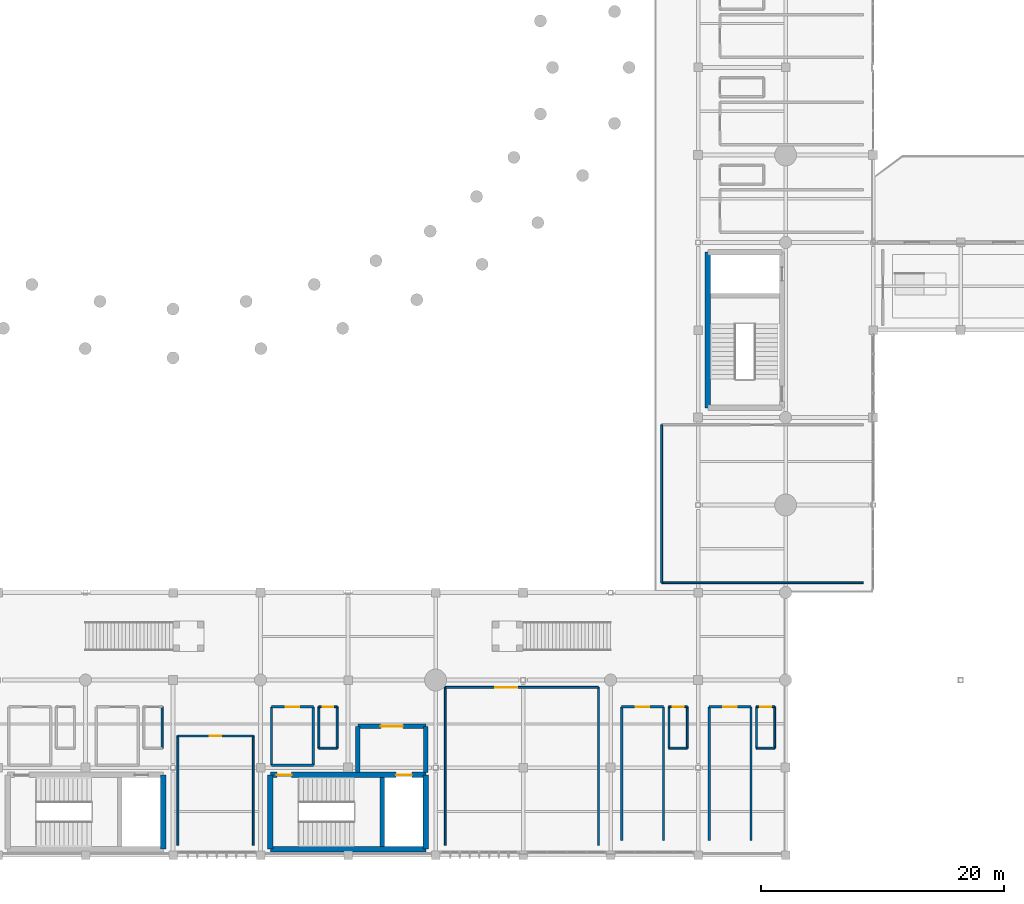
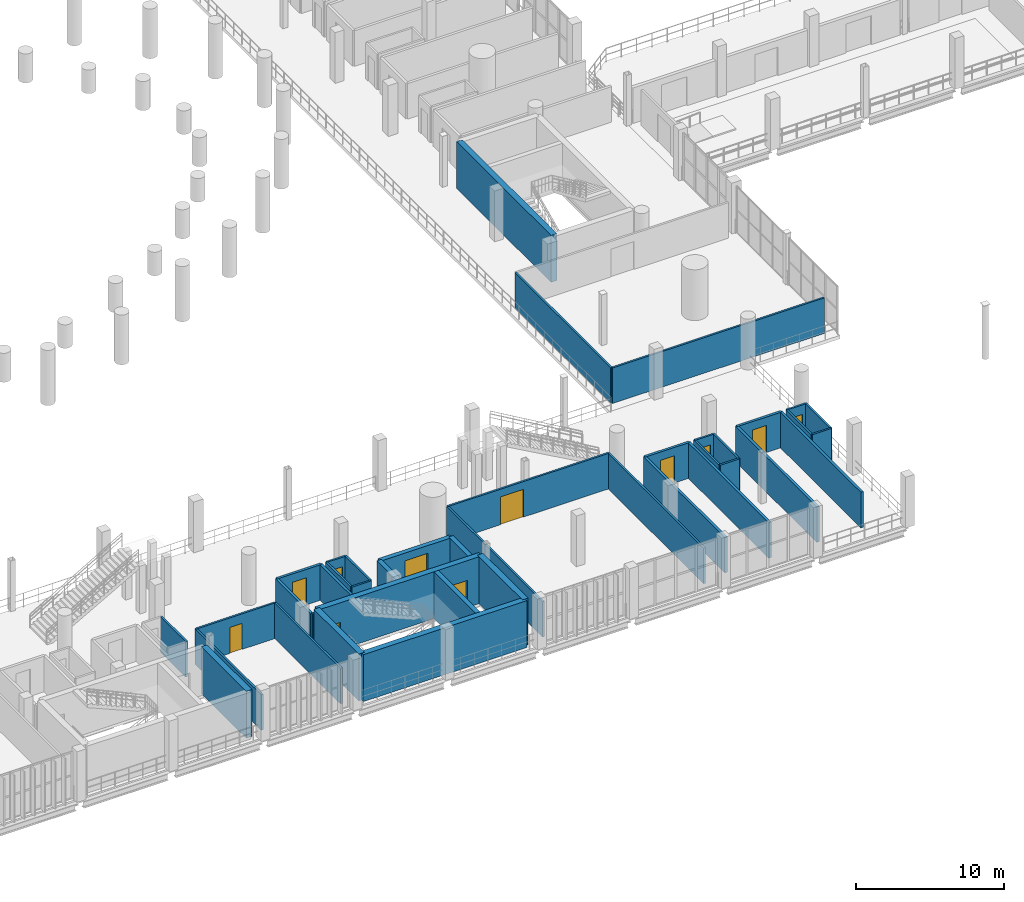
# One storey, part 104 of 130: 41 walls, 11 doors, 11 openings.
"""IFC4 building model written with IfcOpenShell, lengths in metres."""

from ifc_helpers import new_model, si_unit, direction, frame, frame_2d, origin, place, context, subcontext, project, spatial, rectangle, extrude, material, layer, layer_set, type_object, element, fill, save


model = new_model("IFC4")

# Units and contexts
model_context = context("Model", 3, precision=1e-05, world=origin(), true_north=direction((0.0, 1.0)))
body_context = subcontext(model_context, "Body", "Model", "MODEL_VIEW")
ifc_project = project(units=[si_unit("LENGTHUNIT", "METRE"), si_unit("AREAUNIT", "SQUARE_METRE"), si_unit("VOLUMEUNIT", "CUBIC_METRE"), si_unit("PLANEANGLEUNIT", "RADIAN"), si_unit("MASSUNIT", "GRAM", prefix="KILO")], contexts=[model_context])

# Site, building, storey
site_placement = place(None, origin())
site = spatial("IfcSite", under=ifc_project, at=site_placement, CompositionType="ELEMENT")
building_placement = place(site_placement, origin())
building = spatial("IfcBuilding", under=site, at=building_placement, Name="Qandorah Velis Arena", CompositionType="ELEMENT")
storey_placement = place(building_placement, frame((0.0, 0.0, 9.60009765625)))
storey = spatial("IfcBuildingStorey", under=building, at=storey_placement, Name="L02", CompositionType="ELEMENT", Elevation=9.60009765625)

# Walls
ifc_material_1 = material(Name="Concrete C35/45", Category="concrete")
ifc_layer_1 = layer(ifc_material_1, 0.199951171875)
ifc_layer_set_1 = layer_set([ifc_layer_1], Name="Concrete C35/45")
wall_type_1 = type_object("IfcWallType", Name="ARC-WAL-FD60-200", PredefinedType="PARTITIONING", material=ifc_layer_set_1)
wall_1_placement = place(storey_placement, frame((72.89990234375, 7.39990234375, 0.0), z_axis=(0.0, 0.0, 1.0), x_axis=(1.0, 0.0, 0.0)))
element("IfcWall", 1, at=wall_1_placement, inside=storey, type_object=wall_type_1, Name="Interior partition L02-HS-14 (S)", PredefinedType="PARTITIONING", context=body_context, shape_type="SweptSolid", body=[
    extrude(rectangle(XDim=3.4501953125, YDim=0.199951171875, at=frame_2d((1.72509765625, 0.0))), origin(), (0.0, 0.0, 1.0), 2.93994140625),
])
wall_2_placement = place(storey_placement, frame((76.35009765625, 7.39990234375, 0.0), z_axis=(0.0, 0.0, 1.0), x_axis=(0.0, 1.0, 0.0)))
element("IfcWall", 2, at=wall_2_placement, inside=storey, type_object=wall_type_1, Name="Interior partition L02-HS-14 (E)", PredefinedType="PARTITIONING", context=body_context, shape_type="SweptSolid", body=[
    extrude(rectangle(XDim=4.800048828125, YDim=0.199951171875, at=frame_2d((2.39990234375, 0.0))), origin(), (0.0, 0.0, 1.0), 2.93994140625),
])

# Wall, opening, door
wall_3_placement = place(storey_placement, frame((76.35009765625, 12.199951171875, 0.0), z_axis=(0.0, 0.0, 1.0), x_axis=(-1.0, 0.0, 0.0)))
wall_3 = element("IfcWall", 3, at=wall_3_placement, inside=storey, type_object=wall_type_1, Name="Interior partition L02-HS-14 (N)", PredefinedType="PARTITIONING", context=body_context, shape_type="SweptSolid", body=[
    extrude(rectangle(XDim=3.4501953125, YDim=0.199951171875, at=frame_2d((1.72509765625, 0.0))), origin(), (0.0, 0.0, 1.0), 2.93994140625),
])
opening_1_placement = place(wall_3_placement, frame((1.175048828125, 0.0, 0.0)))
opening_1 = element("IfcOpeningElement", 4, at=opening_1_placement, cuts=wall_3, Name="Opening D7", PredefinedType="OPENING", context=body_context, shape_type="SweptSolid", body=[
    extrude(rectangle(XDim=1.10009765625, YDim=2.25, at=frame_2d((0.550048828125, 1.125))), frame((0.0, 0.10986328125, 0.0), z_axis=(0.0, -1.0, 0.0), x_axis=(1.0, 0.0, 0.0)), (0.0, 0.0, 1.0), 0.219970703125),
])
ifc_material_2 = material(Name="Hospitality suite acoustic walnut door")
door_type_1 = type_object("IfcDoorType", Name="ARC-DR-INT1100", OperationType="NOTDEFINED", PredefinedType="DOOR", material=ifc_material_2)
door_1_placement = place(opening_1_placement, origin())
door_1 = element("IfcDoor", 5, at=door_1_placement, inside=storey, type_object=door_type_1, Name="Door L02-HS-14", OperationType="SINGLE_SWING_LEFT", OverallHeight=2.25, OverallWidth=1.10009765625, PredefinedType="DOOR", context=body_context, shape_type="SweptSolid", body=[
    extrude(rectangle(XDim=1.10009765625, YDim=2.25, at=frame_2d((0.550048828125, 1.125))), frame((0.0, 0.02490234375, 0.0), z_axis=(0.0, -1.0, 0.0), x_axis=(1.0, 0.0, 0.0)), (0.0, 0.0, 1.0), 0.050048828125),
])
fill(opening_1, door_1)

# Walls
wall_4_placement = place(storey_placement, frame((72.89990234375, 12.199951171875, 0.0), z_axis=(0.0, 0.0, 1.0), x_axis=(0.0, -1.0, 0.0)))
element("IfcWall", 6, at=wall_4_placement, inside=storey, type_object=wall_type_1, Name="Interior partition L02-HS-14 (W)", PredefinedType="PARTITIONING", context=body_context, shape_type="SweptSolid", body=[
    extrude(rectangle(XDim=4.800048828125, YDim=0.199951171875, at=frame_2d((2.39990234375, 0.0))), origin(), (0.0, 0.0, 1.0), 2.93994140625),
])
wall_5_placement = place(storey_placement, frame((105.14990234375, 1.199951171875, 0.0), z_axis=(0.0, 0.0, 1.0), x_axis=(0.0, 1.0, 0.0)))
element("IfcWall", 7, at=wall_5_placement, inside=storey, type_object=wall_type_1, Name="Interior partition L02-HS-15 (E)", PredefinedType="PARTITIONING", context=body_context, shape_type="SweptSolid", body=[
    extrude(rectangle(XDim=11.0, YDim=0.199951171875, at=frame_2d((5.5, 0.0))), origin(), (0.0, 0.0, 1.0), 2.93994140625),
])

# Wall, opening, door
wall_6_placement = place(storey_placement, frame((105.14990234375, 12.199951171875, 0.0), z_axis=(0.0, 0.0, 1.0), x_axis=(-1.0, 0.0, 0.0)))
wall_6 = element("IfcWall", 8, at=wall_6_placement, inside=storey, type_object=wall_type_1, Name="Interior partition L02-HS-15 (N)", PredefinedType="PARTITIONING", context=body_context, shape_type="SweptSolid", body=[
    extrude(rectangle(XDim=3.449951171875, YDim=0.199951171875, at=frame_2d((1.72509765625, 0.0))), origin(), (0.0, 0.0, 1.0), 2.93994140625),
])
opening_2_placement = place(wall_6_placement, frame((1.175048828125, 0.0, 0.0)))
opening_2 = element("IfcOpeningElement", 9, at=opening_2_placement, cuts=wall_6, Name="Opening D7", PredefinedType="OPENING", context=body_context, shape_type="SweptSolid", body=[
    extrude(rectangle(XDim=1.10009765625, YDim=2.25, at=frame_2d((0.550048828125, 1.125))), frame((0.0, 0.10986328125, 0.0), z_axis=(0.0, -1.0, 0.0), x_axis=(1.0, 0.0, 0.0)), (0.0, 0.0, 1.0), 0.219970703125),
])
door_2_placement = place(opening_2_placement, origin())
door_2 = element("IfcDoor", 10, at=door_2_placement, inside=storey, type_object=door_type_1, Name="Door L02-HS-15", OperationType="SINGLE_SWING_LEFT", OverallHeight=2.25, OverallWidth=1.10009765625, PredefinedType="DOOR", context=body_context, shape_type="SweptSolid", body=[
    extrude(rectangle(XDim=1.10009765625, YDim=2.25, at=frame_2d((0.550048828125, 1.125))), frame((0.0, 0.02490234375, 0.0), z_axis=(0.0, -1.0, 0.0), x_axis=(1.0, 0.0, 0.0)), (0.0, 0.0, 1.0), 0.050048828125),
])
fill(opening_2, door_2)

# Walls
for number, where, z_axis, x_axis, name in (
    (11, (101.699951171875, 12.199951171875, 0.0), (0.0, 0.0, 1.0), (0.0, -1.0, 0.0), "Interior partition L02-HS-15 (W)"),
    (12, (112.35009765625, 1.199951171875, 0.0), (0.0, 0.0, 1.0), (0.0, 1.0, 0.0), "Interior partition L02-HS-16 (E)"),
):
    element("IfcWall", number, at=place(storey_placement, frame(where, z_axis=z_axis, x_axis=x_axis)), inside=storey, type_object=wall_type_1, Name=name, PredefinedType="PARTITIONING", context=body_context, shape_type="SweptSolid", body=[
        extrude(rectangle(XDim=11.0, YDim=0.199951171875, at=frame_2d((5.5, 0.0))), origin(), (0.0, 0.0, 1.0), 2.93994140625),
    ])

# Wall, opening, door
wall_7_placement = place(storey_placement, frame((112.35009765625, 12.199951171875, 0.0), z_axis=(0.0, 0.0, 1.0), x_axis=(-1.0, 0.0, 0.0)))
wall_7 = element("IfcWall", 13, at=wall_7_placement, inside=storey, type_object=wall_type_1, Name="Interior partition L02-HS-16 (N)", PredefinedType="PARTITIONING", context=body_context, shape_type="SweptSolid", body=[
    extrude(rectangle(XDim=3.4501953125, YDim=0.199951171875, at=frame_2d((1.72509765625, 0.0))), origin(), (0.0, 0.0, 1.0), 2.93994140625),
])
opening_3_placement = place(wall_7_placement, frame((1.175048828125, 0.0, 0.0)))
opening_3 = element("IfcOpeningElement", 14, at=opening_3_placement, cuts=wall_7, Name="Opening D7", PredefinedType="OPENING", context=body_context, shape_type="SweptSolid", body=[
    extrude(rectangle(XDim=1.10009765625, YDim=2.25, at=frame_2d((0.550048828125, 1.125))), frame((0.0, 0.10986328125, 0.0), z_axis=(0.0, -1.0, 0.0), x_axis=(1.0, 0.0, 0.0)), (0.0, 0.0, 1.0), 0.219970703125),
])
door_3_placement = place(opening_3_placement, origin())
door_3 = element("IfcDoor", 15, at=door_3_placement, inside=storey, type_object=door_type_1, Name="Door L02-HS-16", OperationType="SINGLE_SWING_LEFT", OverallHeight=2.25, OverallWidth=1.10009765625, PredefinedType="DOOR", context=body_context, shape_type="SweptSolid", body=[
    extrude(rectangle(XDim=1.10009765625, YDim=2.25, at=frame_2d((0.550048828125, 1.125))), frame((0.0, 0.02490234375, 0.0), z_axis=(0.0, -1.0, 0.0), x_axis=(1.0, 0.0, 0.0)), (0.0, 0.0, 1.0), 0.050048828125),
])
fill(opening_3, door_3)

# Walls
wall_8_placement = place(storey_placement, frame((108.89990234375, 12.199951171875, 0.0), z_axis=(0.0, 0.0, 1.0), x_axis=(0.0, -1.0, 0.0)))
element("IfcWall", 16, at=wall_8_placement, inside=storey, type_object=wall_type_1, Name="Interior partition L02-HS-16 (W)", PredefinedType="PARTITIONING", context=body_context, shape_type="SweptSolid", body=[
    extrude(rectangle(XDim=11.0, YDim=0.199951171875, at=frame_2d((5.5, 0.0))), origin(), (0.0, 0.0, 1.0), 2.93994140625),
])
ifc_layer_2 = layer(ifc_material_1, 0.14990234375)
ifc_layer_set_2 = layer_set([ifc_layer_2], Name="Concrete C35/45")
wall_type_2 = type_object("IfcWallType", Name="ARC-WAL-PART150", PredefinedType="PARTITIONING", material=ifc_layer_set_2)
wall_9_placement = place(storey_placement, frame((105.0, 22.39990234375, 0.0), z_axis=(0.0, 0.0, 1.0), x_axis=(1.0, 0.0, 0.0)))
element("IfcWall", 17, at=wall_9_placement, inside=storey, type_object=wall_type_2, Name="Interior partition L02-SOMM-LNG (S)", PredefinedType="PARTITIONING", context=body_context, shape_type="SweptSolid", body=[
    extrude(rectangle(XDim=16.60009765625, YDim=0.14990234375, at=frame_2d((8.300048828125, 0.0))), origin(), (0.0, 0.0, 1.0), 2.93994140625),
])
for number, where, z_axis, x_axis, name in (
    (18, (105.0, 35.39990234375, 0.0), (0.0, 0.0, 1.0), (0.0, -1.0, 0.0), "Interior partition L02-SOMM-LNG (W)"),
    (19, (99.800048828125, 0.800048828125, 0.0), (0.0, 0.0, 1.0), (0.0, 1.0, 0.0), "Interior partition L02-VIP-SE-SAL (E)"),
):
    element("IfcWall", number, at=place(storey_placement, frame(where, z_axis=z_axis, x_axis=x_axis)), inside=storey, type_object=wall_type_2, Name=name, PredefinedType="PARTITIONING", context=body_context, shape_type="SweptSolid", body=[
        extrude(rectangle(XDim=13.0, YDim=0.14990234375, at=frame_2d((6.5, 0.0))), origin(), (0.0, 0.0, 1.0), 2.93994140625),
    ])

# Wall, opening, door
wall_10_placement = place(storey_placement, frame((99.800048828125, 13.800048828125, 0.0), z_axis=(0.0, 0.0, 1.0), x_axis=(-1.0, 0.0, 0.0)))
wall_10 = element("IfcWall", 20, at=wall_10_placement, inside=storey, type_object=wall_type_2, Name="Interior partition L02-VIP-SE-SAL (N)", PredefinedType="PARTITIONING", context=body_context, shape_type="SweptSolid", body=[
    extrude(rectangle(XDim=12.60009765625, YDim=0.14990234375, at=frame_2d((6.300048828125, 0.0))), origin(), (0.0, 0.0, 1.0), 2.93994140625),
])
opening_4_placement = place(wall_10_placement, frame((6.699951171875, 0.0, 0.0)))
opening_4 = element("IfcOpeningElement", 21, at=opening_4_placement, cuts=wall_10, Name="Opening D3", PredefinedType="OPENING", context=body_context, shape_type="SweptSolid", body=[
    extrude(rectangle(XDim=1.800048828125, YDim=2.300048828125, at=frame_2d((0.89990234375, 1.14990234375))), frame((0.0, 0.0849609375, 0.0), z_axis=(0.0, -1.0, 0.0), x_axis=(1.0, 0.0, 0.0)), (0.0, 0.0, 1.0), 0.169921875),
])
ifc_material_3 = material(Name="Double-leaf acoustic timber door", Category="wood")
door_type_2 = type_object("IfcDoorType", Name="ARC-DR-DBL1800", OperationType="NOTDEFINED", PredefinedType="DOOR", material=ifc_material_3)
door_4_placement = place(opening_4_placement, frame((1.800048828125, 0.0, 0.0), z_axis=(0.0, 0.0, 1.0), x_axis=(-1.0, 0.0, 0.0)))
door_4 = element("IfcDoor", 22, at=door_4_placement, inside=storey, type_object=door_type_2, Name="Door L02-VIP-SE-SAL", OperationType="DOUBLE_DOOR_SINGLE_SWING", OverallHeight=2.300048828125, OverallWidth=1.800048828125, PredefinedType="DOOR", context=body_context, shape_type="SweptSolid", body=[
    extrude(rectangle(XDim=1.800048828125, YDim=2.300048828125, at=frame_2d((0.89990234375, 1.14990234375))), frame((0.0, 0.02490234375, 0.0), z_axis=(0.0, -1.0, 0.0), x_axis=(1.0, 0.0, 0.0)), (0.0, 0.0, 1.0), 0.050048828125),
])
fill(opening_4, door_4)

# Walls
wall_11_placement = place(storey_placement, frame((87.199951171875, 13.800048828125, 0.0), z_axis=(0.0, 0.0, 1.0), x_axis=(0.0, -1.0, 0.0)))
element("IfcWall", 23, at=wall_11_placement, inside=storey, type_object=wall_type_2, Name="Interior partition L02-VIP-SE-SAL (W)", PredefinedType="PARTITIONING", context=body_context, shape_type="SweptSolid", body=[
    extrude(rectangle(XDim=13.0, YDim=0.14990234375, at=frame_2d((6.5, 0.0))), origin(), (0.0, 0.0, 1.0), 2.93994140625),
])
wall_12_placement = place(storey_placement, frame((71.39990234375, 0.800048828125, 0.0), z_axis=(0.0, 0.0, 1.0), x_axis=(0.0, 1.0, 0.0)))
element("IfcWall", 24, at=wall_12_placement, inside=storey, type_object=wall_type_2, Name="Interior partition L02-L02-FWC1 (E)", PredefinedType="PARTITIONING", context=body_context, shape_type="SweptSolid", body=[
    extrude(rectangle(XDim=9.0, YDim=0.14990234375, at=frame_2d((4.5, 0.0))), origin(), (0.0, 0.0, 1.0), 2.93994140625),
])

# Wall, opening, door
wall_13_placement = place(storey_placement, frame((71.39990234375, 9.800048828125, 0.0), z_axis=(0.0, 0.0, 1.0), x_axis=(-1.0, 0.0, 0.0)))
wall_13 = element("IfcWall", 25, at=wall_13_placement, inside=storey, type_object=wall_type_2, Name="Interior partition L02-L02-FWC1 (N)", PredefinedType="PARTITIONING", context=body_context, shape_type="SweptSolid", body=[
    extrude(rectangle(XDim=6.199951171875, YDim=0.14990234375, at=frame_2d((3.10009765625, 0.0))), origin(), (0.0, 0.0, 1.0), 2.93994140625),
])
opening_5_placement = place(wall_13_placement, frame((2.625, 0.0, 0.0)))
opening_5 = element("IfcOpeningElement", 26, at=opening_5_placement, cuts=wall_13, Name="Opening D4", PredefinedType="OPENING", context=body_context, shape_type="SweptSolid", body=[
    extrude(rectangle(XDim=0.949951171875, YDim=2.14990234375, at=frame_2d((0.47509765625, 1.074951171875))), frame((0.0, 0.0849609375, 0.0), z_axis=(0.0, -1.0, 0.0), x_axis=(1.0, 0.0, 0.0)), (0.0, 0.0, 1.0), 0.169921875),
])
ifc_material_4 = material(Name="Moisture-resistant laminate door")
door_type_3 = type_object("IfcDoorType", Name="ARC-DR-WC950", OperationType="NOTDEFINED", PredefinedType="DOOR", material=ifc_material_4)
door_5_placement = place(opening_5_placement, frame((0.949951171875, 0.0, 0.0), z_axis=(0.0, 0.0, 1.0), x_axis=(-1.0, 0.0, 0.0)))
door_5 = element("IfcDoor", 27, at=door_5_placement, inside=storey, type_object=door_type_3, Name="Door L02-L02-FWC1", OperationType="SINGLE_SWING_RIGHT", OverallHeight=2.14990234375, OverallWidth=0.949951171875, PredefinedType="DOOR", context=body_context, shape_type="SweptSolid", body=[
    extrude(rectangle(XDim=0.949951171875, YDim=2.14990234375, at=frame_2d((0.47509765625, 1.074951171875))), frame((0.0, 0.02490234375, 0.0), z_axis=(0.0, -1.0, 0.0), x_axis=(1.0, 0.0, 0.0)), (0.0, 0.0, 1.0), 0.050048828125),
])
fill(opening_5, door_5)

# Walls
wall_14_placement = place(storey_placement, frame((65.199951171875, 9.800048828125, 0.0), z_axis=(0.0, 0.0, 1.0), x_axis=(0.0, -1.0, 0.0)))
element("IfcWall", 28, at=wall_14_placement, inside=storey, type_object=wall_type_2, Name="Interior partition L02-L02-FWC1 (W)", PredefinedType="PARTITIONING", context=body_context, shape_type="SweptSolid", body=[
    extrude(rectangle(XDim=9.0, YDim=0.14990234375, at=frame_2d((4.5, 0.0))), origin(), (0.0, 0.0, 1.0), 2.93994140625),
])
wall_15_placement = place(storey_placement, frame((63.89990234375, 8.800048828125, 0.0), z_axis=(0.0, 0.0, 1.0), x_axis=(0.0, 1.0, 0.0)))
element("IfcWall", 29, at=wall_15_placement, inside=storey, type_object=wall_type_2, Name="Interior partition L02-HSWC-13 (E)", PredefinedType="PARTITIONING", context=body_context, shape_type="SweptSolid", body=[
    extrude(rectangle(XDim=3.39990234375, YDim=0.14990234375, at=frame_2d((1.699951171875, 0.0))), origin(), (0.0, 0.0, 1.0), 2.93994140625),
])
wall_16_placement = place(storey_placement, frame((76.800048828125, 8.800048828125, 0.0), z_axis=(0.0, 0.0, 1.0), x_axis=(1.0, 0.0, 0.0)))
element("IfcWall", 30, at=wall_16_placement, inside=storey, type_object=wall_type_2, Name="Interior partition L02-HSWC-14 (S)", PredefinedType="PARTITIONING", context=body_context, shape_type="SweptSolid", body=[
    extrude(rectangle(XDim=1.5, YDim=0.14990234375, at=frame_2d((0.75, 0.0))), origin(), (0.0, 0.0, 1.0), 2.93994140625),
])
wall_17_placement = place(storey_placement, frame((78.300048828125, 8.800048828125, 0.0), z_axis=(0.0, 0.0, 1.0), x_axis=(0.0, 1.0, 0.0)))
element("IfcWall", 31, at=wall_17_placement, inside=storey, type_object=wall_type_2, Name="Interior partition L02-HSWC-14 (E)", PredefinedType="PARTITIONING", context=body_context, shape_type="SweptSolid", body=[
    extrude(rectangle(XDim=3.39990234375, YDim=0.14990234375, at=frame_2d((1.699951171875, 0.0))), origin(), (0.0, 0.0, 1.0), 2.93994140625),
])

# Wall, opening, door
wall_18_placement = place(storey_placement, frame((78.300048828125, 12.199951171875, 0.0), z_axis=(0.0, 0.0, 1.0), x_axis=(-1.0, 0.0, 0.0)))
wall_18 = element("IfcWall", 32, at=wall_18_placement, inside=storey, type_object=wall_type_2, Name="Interior partition L02-HSWC-14 (N)", PredefinedType="PARTITIONING", context=body_context, shape_type="SweptSolid", body=[
    extrude(rectangle(XDim=1.5, YDim=0.14990234375, at=frame_2d((0.75, 0.0))), origin(), (0.0, 0.0, 1.0), 2.93994140625),
])
opening_6_placement = place(wall_18_placement, frame((0.300048828125, 0.0, 0.0)))
opening_6 = element("IfcOpeningElement", 33, at=opening_6_placement, cuts=wall_18, Name="Opening D8", PredefinedType="OPENING", context=body_context, shape_type="SweptSolid", body=[
    extrude(rectangle(XDim=0.89990234375, YDim=2.14990234375, at=frame_2d((0.449951171875, 1.074951171875))), frame((0.0, 0.0849609375, 0.0), z_axis=(0.0, -1.0, 0.0), x_axis=(1.0, 0.0, 0.0)), (0.0, 0.0, 1.0), 0.169921875),
])
ifc_material_5 = material(Name="Suite en-suite walnut door")
door_type_4 = type_object("IfcDoorType", Name="ARC-DR-WC900", OperationType="NOTDEFINED", PredefinedType="DOOR", material=ifc_material_5)
door_6_placement = place(opening_6_placement, frame((0.89990234375, 0.0, 0.0), z_axis=(0.0, 0.0, 1.0), x_axis=(-1.0, 0.0, 0.0)))
door_6 = element("IfcDoor", 34, at=door_6_placement, inside=storey, type_object=door_type_4, Name="Door L02-HSWC-14", OperationType="SINGLE_SWING_RIGHT", OverallHeight=2.14990234375, OverallWidth=0.89990234375, PredefinedType="DOOR", context=body_context, shape_type="SweptSolid", body=[
    extrude(rectangle(XDim=0.89990234375, YDim=2.14990234375, at=frame_2d((0.449951171875, 1.074951171875))), frame((0.0, 0.02490234375, 0.0), z_axis=(0.0, -1.0, 0.0), x_axis=(1.0, 0.0, 0.0)), (0.0, 0.0, 1.0), 0.050048828125),
])
fill(opening_6, door_6)

# Walls
wall_19_placement = place(storey_placement, frame((76.800048828125, 12.199951171875, 0.0), z_axis=(0.0, 0.0, 1.0), x_axis=(0.0, -1.0, 0.0)))
element("IfcWall", 35, at=wall_19_placement, inside=storey, type_object=wall_type_2, Name="Interior partition L02-HSWC-14 (W)", PredefinedType="PARTITIONING", context=body_context, shape_type="SweptSolid", body=[
    extrude(rectangle(XDim=3.39990234375, YDim=0.14990234375, at=frame_2d((1.699951171875, 0.0))), origin(), (0.0, 0.0, 1.0), 2.93994140625),
])
wall_20_placement = place(storey_placement, frame((105.60009765625, 8.800048828125, 0.0), z_axis=(0.0, 0.0, 1.0), x_axis=(1.0, 0.0, 0.0)))
element("IfcWall", 36, at=wall_20_placement, inside=storey, type_object=wall_type_2, Name="Interior partition L02-HSWC-15 (S)", PredefinedType="PARTITIONING", context=body_context, shape_type="SweptSolid", body=[
    extrude(rectangle(XDim=1.5, YDim=0.14990234375, at=frame_2d((0.75, 0.0))), origin(), (0.0, 0.0, 1.0), 2.93994140625),
])
wall_21_placement = place(storey_placement, frame((107.10009765625, 8.800048828125, 0.0), z_axis=(0.0, 0.0, 1.0), x_axis=(0.0, 1.0, 0.0)))
element("IfcWall", 37, at=wall_21_placement, inside=storey, type_object=wall_type_2, Name="Interior partition L02-HSWC-15 (E)", PredefinedType="PARTITIONING", context=body_context, shape_type="SweptSolid", body=[
    extrude(rectangle(XDim=3.39990234375, YDim=0.14990234375, at=frame_2d((1.699951171875, 0.0))), origin(), (0.0, 0.0, 1.0), 2.93994140625),
])

# Wall, opening, door
wall_22_placement = place(storey_placement, frame((107.10009765625, 12.199951171875, 0.0), z_axis=(0.0, 0.0, 1.0), x_axis=(-1.0, 0.0, 0.0)))
wall_22 = element("IfcWall", 38, at=wall_22_placement, inside=storey, type_object=wall_type_2, Name="Interior partition L02-HSWC-15 (N)", PredefinedType="PARTITIONING", context=body_context, shape_type="SweptSolid", body=[
    extrude(rectangle(XDim=1.5, YDim=0.14990234375, at=frame_2d((0.75, 0.0))), origin(), (0.0, 0.0, 1.0), 2.93994140625),
])
opening_7_placement = place(wall_22_placement, frame((0.300048828125, 0.0, 0.0)))
opening_7 = element("IfcOpeningElement", 39, at=opening_7_placement, cuts=wall_22, Name="Opening D8", PredefinedType="OPENING", context=body_context, shape_type="SweptSolid", body=[
    extrude(rectangle(XDim=0.89990234375, YDim=2.14990234375, at=frame_2d((0.449951171875, 1.074951171875))), frame((0.0, 0.0849609375, 0.0), z_axis=(0.0, -1.0, 0.0), x_axis=(1.0, 0.0, 0.0)), (0.0, 0.0, 1.0), 0.169921875),
])
door_7_placement = place(opening_7_placement, frame((0.89990234375, 0.0, 0.0), z_axis=(0.0, 0.0, 1.0), x_axis=(-1.0, 0.0, 0.0)))
door_7 = element("IfcDoor", 40, at=door_7_placement, inside=storey, type_object=door_type_4, Name="Door L02-HSWC-15", OperationType="SINGLE_SWING_RIGHT", OverallHeight=2.14990234375, OverallWidth=0.89990234375, PredefinedType="DOOR", context=body_context, shape_type="SweptSolid", body=[
    extrude(rectangle(XDim=0.89990234375, YDim=2.14990234375, at=frame_2d((0.449951171875, 1.074951171875))), frame((0.0, 0.02490234375, 0.0), z_axis=(0.0, -1.0, 0.0), x_axis=(1.0, 0.0, 0.0)), (0.0, 0.0, 1.0), 0.050048828125),
])
fill(opening_7, door_7)

# Walls
wall_23_placement = place(storey_placement, frame((105.60009765625, 12.199951171875, 0.0), z_axis=(0.0, 0.0, 1.0), x_axis=(0.0, -1.0, 0.0)))
element("IfcWall", 41, at=wall_23_placement, inside=storey, type_object=wall_type_2, Name="Interior partition L02-HSWC-15 (W)", PredefinedType="PARTITIONING", context=body_context, shape_type="SweptSolid", body=[
    extrude(rectangle(XDim=3.39990234375, YDim=0.14990234375, at=frame_2d((1.699951171875, 0.0))), origin(), (0.0, 0.0, 1.0), 2.93994140625),
])
wall_24_placement = place(storey_placement, frame((112.800048828125, 8.800048828125, 0.0), z_axis=(0.0, 0.0, 1.0), x_axis=(1.0, 0.0, 0.0)))
element("IfcWall", 42, at=wall_24_placement, inside=storey, type_object=wall_type_2, Name="Interior partition L02-HSWC-16 (S)", PredefinedType="PARTITIONING", context=body_context, shape_type="SweptSolid", body=[
    extrude(rectangle(XDim=1.5, YDim=0.14990234375, at=frame_2d((0.75, 0.0))), origin(), (0.0, 0.0, 1.0), 2.93994140625),
])
wall_25_placement = place(storey_placement, frame((114.300048828125, 8.800048828125, 0.0), z_axis=(0.0, 0.0, 1.0), x_axis=(0.0, 1.0, 0.0)))
element("IfcWall", 43, at=wall_25_placement, inside=storey, type_object=wall_type_2, Name="Interior partition L02-HSWC-16 (E)", PredefinedType="PARTITIONING", context=body_context, shape_type="SweptSolid", body=[
    extrude(rectangle(XDim=3.39990234375, YDim=0.14990234375, at=frame_2d((1.699951171875, 0.0))), origin(), (0.0, 0.0, 1.0), 2.93994140625),
])

# Wall, opening, door
wall_26_placement = place(storey_placement, frame((114.300048828125, 12.199951171875, 0.0), z_axis=(0.0, 0.0, 1.0), x_axis=(-1.0, 0.0, 0.0)))
wall_26 = element("IfcWall", 44, at=wall_26_placement, inside=storey, type_object=wall_type_2, Name="Interior partition L02-HSWC-16 (N)", PredefinedType="PARTITIONING", context=body_context, shape_type="SweptSolid", body=[
    extrude(rectangle(XDim=1.5, YDim=0.14990234375, at=frame_2d((0.75, 0.0))), origin(), (0.0, 0.0, 1.0), 2.93994140625),
])
opening_8_placement = place(wall_26_placement, frame((0.300048828125, 0.0, 0.0)))
opening_8 = element("IfcOpeningElement", 45, at=opening_8_placement, cuts=wall_26, Name="Opening D8", PredefinedType="OPENING", context=body_context, shape_type="SweptSolid", body=[
    extrude(rectangle(XDim=0.89990234375, YDim=2.14990234375, at=frame_2d((0.449951171875, 1.074951171875))), frame((0.0, 0.0849609375, 0.0), z_axis=(0.0, -1.0, 0.0), x_axis=(1.0, 0.0, 0.0)), (0.0, 0.0, 1.0), 0.169921875),
])
door_8_placement = place(opening_8_placement, frame((0.89990234375, 0.0, 0.0), z_axis=(0.0, 0.0, 1.0), x_axis=(-1.0, 0.0, 0.0)))
door_8 = element("IfcDoor", 46, at=door_8_placement, inside=storey, type_object=door_type_4, Name="Door L02-HSWC-16", OperationType="SINGLE_SWING_RIGHT", OverallHeight=2.14990234375, OverallWidth=0.89990234375, PredefinedType="DOOR", context=body_context, shape_type="SweptSolid", body=[
    extrude(rectangle(XDim=0.89990234375, YDim=2.14990234375, at=frame_2d((0.449951171875, 1.074951171875))), frame((0.0, 0.02490234375, 0.0), z_axis=(0.0, -1.0, 0.0), x_axis=(1.0, 0.0, 0.0)), (0.0, 0.0, 1.0), 0.050048828125),
])
fill(opening_8, door_8)

# Walls
wall_27_placement = place(storey_placement, frame((112.800048828125, 12.199951171875, 0.0), z_axis=(0.0, 0.0, 1.0), x_axis=(0.0, -1.0, 0.0)))
element("IfcWall", 47, at=wall_27_placement, inside=storey, type_object=wall_type_2, Name="Interior partition L02-HSWC-16 (W)", PredefinedType="PARTITIONING", context=body_context, shape_type="SweptSolid", body=[
    extrude(rectangle(XDim=3.39990234375, YDim=0.14990234375, at=frame_2d((1.699951171875, 0.0))), origin(), (0.0, 0.0, 1.0), 2.93994140625),
])
ifc_material_6 = material(Name="Concrete C40/50", Category="concrete")
ifc_layer_3 = layer(ifc_material_6, 0.449951171875)
ifc_layer_set_3 = layer_set([ifc_layer_3], Name="Concrete C40/50")
wall_type_3 = type_object("IfcWallType", Name="STR-WAL-CORE450", PredefinedType="SHEAR", material=ifc_layer_set_3)
wall_28_placement = place(storey_placement, frame((72.800048828125, 0.5, 0.0), z_axis=(0.0, 0.0, 1.0), x_axis=(1.0, 0.0, 0.0)))
element("IfcWall", 48, at=wall_28_placement, inside=storey, type_object=wall_type_3, Name="Core CORE-02 shear wall S (L02)", PredefinedType="SHEAR", context=body_context, shape_type="SweptSolid", body=[
    extrude(rectangle(XDim=12.800048828125, YDim=0.449951171875, at=frame_2d((6.39990234375, 0.0))), origin(), (0.0, 0.0, 1.0), 3.8798828125),
])

# Wall, openings, doors
wall_29_placement = place(storey_placement, frame((72.800048828125, 6.60009765625, 0.0), z_axis=(0.0, 0.0, 1.0), x_axis=(1.0, 0.0, 0.0)))
wall_29 = element("IfcWall", 49, at=wall_29_placement, inside=storey, type_object=wall_type_3, Name="Core CORE-02 shear wall N (L02)", PredefinedType="SHEAR", context=body_context, shape_type="SweptSolid", body=[
    extrude(rectangle(XDim=12.800048828125, YDim=0.449951171875, at=frame_2d((6.39990234375, 0.0))), origin(), (0.0, 0.0, 1.0), 3.8798828125),
])
opening_9_placement = place(wall_29_placement, frame((0.550048828125, 0.0, 0.0)))
opening_9 = element("IfcOpeningElement", 50, at=opening_9_placement, cuts=wall_29, Name="Opening SD1", PredefinedType="OPENING", context=body_context, shape_type="SweptSolid", body=[
    extrude(rectangle(XDim=1.199951171875, YDim=2.25, at=frame_2d((0.60009765625, 1.125))), frame((0.0, 0.23486328125, 0.0), z_axis=(0.0, -1.0, 0.0), x_axis=(1.0, 0.0, 0.0)), (0.0, 0.0, 1.0), 0.469970703125),
])
opening_10_placement = place(wall_29_placement, frame((10.35791015625, 0.0, 0.0)))
opening_10 = element("IfcOpeningElement", 51, at=opening_10_placement, cuts=wall_29, Name="Opening LD2", PredefinedType="OPENING", context=body_context, shape_type="SweptSolid", body=[
    extrude(rectangle(XDim=1.300048828125, YDim=2.25, at=frame_2d((0.64990234375, 1.125))), frame((0.0, 0.23486328125, 0.0), z_axis=(0.0, -1.0, 0.0), x_axis=(1.0, 0.0, 0.0)), (0.0, 0.0, 1.0), 0.469970703125),
])
ifc_material_7 = material(Name="Firefighting stainless sliding lift landing door", Category="steel")
door_type_5 = type_object("IfcDoorType", Name="ARC-DR-LD1300", OperationType="NOTDEFINED", PredefinedType="DOOR", material=ifc_material_7)
door_9_placement = place(opening_10_placement, origin())
door_9 = element("IfcDoor", 52, at=door_9_placement, inside=storey, type_object=door_type_5, Name="Lift FL2 sliding landing door (L02)", OperationType="SLIDING_TO_RIGHT", OverallHeight=2.25, OverallWidth=1.300048828125, PredefinedType="DOOR", context=body_context, shape_type="SweptSolid", body=[
    extrude(rectangle(XDim=1.300048828125, YDim=2.25, at=frame_2d((0.64990234375, 1.125))), frame((0.0, 0.02490234375, 0.0), z_axis=(0.0, -1.0, 0.0), x_axis=(1.0, 0.0, 0.0)), (0.0, 0.0, 1.0), 0.050048828125),
])
fill(opening_10, door_9)
ifc_material_8 = material(Name="Self-closing fire-rated stair steel door", Category="steel")
door_type_6 = type_object("IfcDoorType", Name="ARC-DR-ST1200", OperationType="NOTDEFINED", PredefinedType="DOOR", material=ifc_material_8)
door_10_placement = place(opening_9_placement, frame((1.199951171875, 0.0, 0.0), z_axis=(0.0, 0.0, 1.0), x_axis=(-1.0, 0.0, 0.0)))
door_10 = element("IfcDoor", 53, at=door_10_placement, inside=storey, type_object=door_type_6, Name="Stair ST2 fire door (L02)", OperationType="SINGLE_SWING_RIGHT", OverallHeight=2.25, OverallWidth=1.199951171875, PredefinedType="DOOR", context=body_context, shape_type="SweptSolid", body=[
    extrude(rectangle(XDim=1.199951171875, YDim=2.25, at=frame_2d((0.60009765625, 1.125))), frame((0.0, 0.02490234375, 0.0), z_axis=(0.0, -1.0, 0.0), x_axis=(1.0, 0.0, 0.0)), (0.0, 0.0, 1.0), 0.050048828125),
])
fill(opening_9, door_10)

# Walls
for number, where, z_axis, x_axis, name in (
    (54, (72.800048828125, 0.5, 0.0), (0.0, 0.0, 1.0), (0.0, 1.0, 0.0), "Core CORE-02 shear wall W (L02)"),
    (55, (85.60009765625, 0.5, 0.0), (0.0, 0.0, 1.0), (0.0, 1.0, 0.0), "Core CORE-02 shear wall E (L02)"),
    (56, (64.0, 0.5, 0.0), (0.0, 0.0, 1.0), (0.0, 1.0, 0.0), "Core CORE-09 shear wall E (L02)"),
):
    element("IfcWall", number, at=place(storey_placement, frame(where, z_axis=z_axis, x_axis=x_axis)), inside=storey, type_object=wall_type_3, Name=name, PredefinedType="SHEAR", context=body_context, shape_type="SweptSolid", body=[
        extrude(rectangle(XDim=6.10009765625, YDim=0.449951171875, at=frame_2d((3.050048828125, 0.0))), origin(), (0.0, 0.0, 1.0), 3.8798828125),
    ])
wall_30_placement = place(storey_placement, frame((108.800048828125, 36.800048828125, 0.0), z_axis=(0.0, 0.0, 1.0), x_axis=(0.0, 1.0, 0.0)))
element("IfcWall", 57, at=wall_30_placement, inside=storey, type_object=wall_type_3, Name="Core CORE-11 shear wall W (L02)", PredefinedType="SHEAR", context=body_context, shape_type="SweptSolid", body=[
    extrude(rectangle(XDim=12.800048828125, YDim=0.449951171875, at=frame_2d((6.39990234375, 0.0))), origin(), (0.0, 0.0, 1.0), 3.8798828125),
])
ifc_layer_4 = layer(ifc_material_6, 0.35009765625)
ifc_layer_set_4 = layer_set([ifc_layer_4], Name="Concrete C40/50")
wall_type_4 = type_object("IfcWallType", Name="STR-WAL-SH350", PredefinedType="SHEAR", material=ifc_layer_set_4)
wall_31_placement = place(storey_placement, frame((82.01611328125, 0.72509765625, 0.0), z_axis=(0.0, 0.0, 1.0), x_axis=(0.0, 1.0, 0.0)))
element("IfcWall", 58, at=wall_31_placement, inside=storey, type_object=wall_type_4, Name="Core CORE-02 shaft divider shear wall (L02)", PredefinedType="SHEAR", context=body_context, shape_type="SweptSolid", body=[
    extrude(rectangle(XDim=5.64990234375, YDim=0.35009765625, at=frame_2d((2.824951171875, 0.0))), origin(), (0.0, 0.0, 1.0), 3.8798828125),
])
wall_32_placement = place(storey_placement, frame((85.60009765625, 6.800048828125, 0.0), z_axis=(0.0, 0.0, 1.0), x_axis=(0.0, 1.0, 0.0)))
element("IfcWall", 59, at=wall_32_placement, inside=storey, type_object=wall_type_4, Name="Interior partition FFL-FL2-L02 (E)", PredefinedType="SHEAR", context=body_context, shape_type="SweptSolid", body=[
    extrude(rectangle(XDim=3.800048828125, YDim=0.35009765625, at=frame_2d((1.89990234375, 0.0))), origin(), (0.0, 0.0, 1.0), 2.93994140625),
])

# Wall, opening, door
wall_33_placement = place(storey_placement, frame((85.60009765625, 10.60009765625, 0.0), z_axis=(0.0, 0.0, 1.0), x_axis=(-1.0, 0.0, 0.0)))
wall_33 = element("IfcWall", 60, at=wall_33_placement, inside=storey, type_object=wall_type_4, Name="Interior partition FFL-FL2-L02 (N)", PredefinedType="SHEAR", context=body_context, shape_type="SweptSolid", body=[
    extrude(rectangle(XDim=5.60009765625, YDim=0.35009765625, at=frame_2d((2.800048828125, 0.0))), origin(), (0.0, 0.0, 1.0), 2.93994140625),
])
opening_11_placement = place(wall_33_placement, frame((1.89990234375, 0.0, 0.0)))
opening_11 = element("IfcOpeningElement", 61, at=opening_11_placement, cuts=wall_33, Name="Opening FD1", PredefinedType="OPENING", context=body_context, shape_type="SweptSolid", body=[
    extrude(rectangle(XDim=1.800048828125, YDim=2.300048828125, at=frame_2d((0.89990234375, 1.14990234375))), frame((0.0, 0.18505859375, 0.0), z_axis=(0.0, -1.0, 0.0), x_axis=(1.0, 0.0, 0.0)), (0.0, 0.0, 1.0), 0.3701171875),
])
ifc_material_9 = material(Name="Insulated fire-rated double steel door", Category="steel")
door_type_7 = type_object("IfcDoorType", Name="ARC-DR-FD1800", OperationType="NOTDEFINED", PredefinedType="DOOR", material=ifc_material_9)
door_11_placement = place(opening_11_placement, frame((1.800048828125, 0.0, 0.0), z_axis=(0.0, 0.0, 1.0), x_axis=(-1.0, 0.0, 0.0)))
door_11 = element("IfcDoor", 62, at=door_11_placement, inside=storey, type_object=door_type_7, Name="Door FFL-FL2-L02", OperationType="DOUBLE_DOOR_SINGLE_SWING", OverallHeight=2.300048828125, OverallWidth=1.800048828125, PredefinedType="DOOR", context=body_context, shape_type="SweptSolid", body=[
    extrude(rectangle(XDim=1.800048828125, YDim=2.300048828125, at=frame_2d((0.89990234375, 1.14990234375))), frame((0.0, 0.02490234375, 0.0), z_axis=(0.0, -1.0, 0.0), x_axis=(1.0, 0.0, 0.0)), (0.0, 0.0, 1.0), 0.050048828125),
])
fill(opening_11, door_11)

# Wall
wall_34_placement = place(storey_placement, frame((80.0, 10.60009765625, 0.0), z_axis=(0.0, 0.0, 1.0), x_axis=(0.0, -1.0, 0.0)))
element("IfcWall", 63, at=wall_34_placement, inside=storey, type_object=wall_type_4, Name="Interior partition FFL-FL2-L02 (W)", PredefinedType="SHEAR", context=body_context, shape_type="SweptSolid", body=[
    extrude(rectangle(XDim=3.800048828125, YDim=0.35009765625, at=frame_2d((1.89990234375, 0.0))), origin(), (0.0, 0.0, 1.0), 2.93994140625),
])

save(model, "model.ifc")
